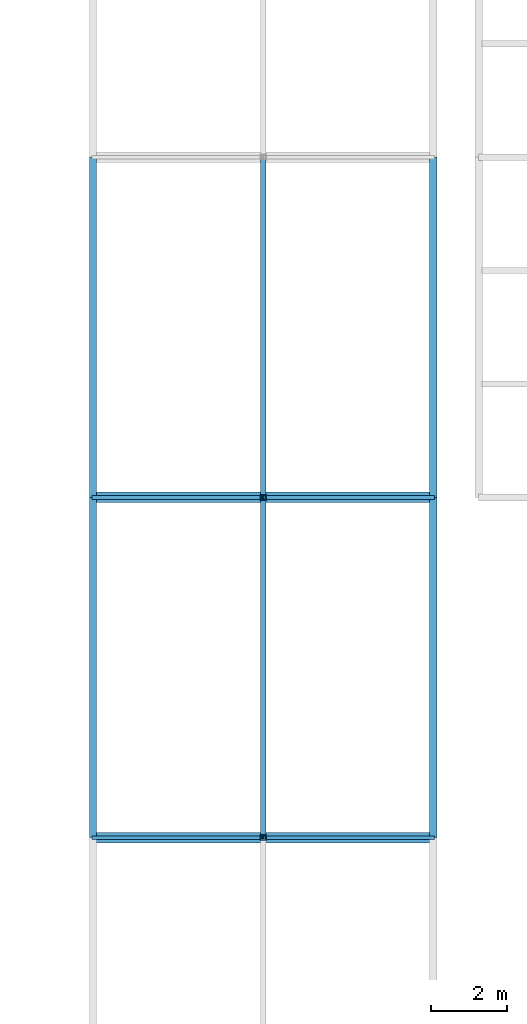
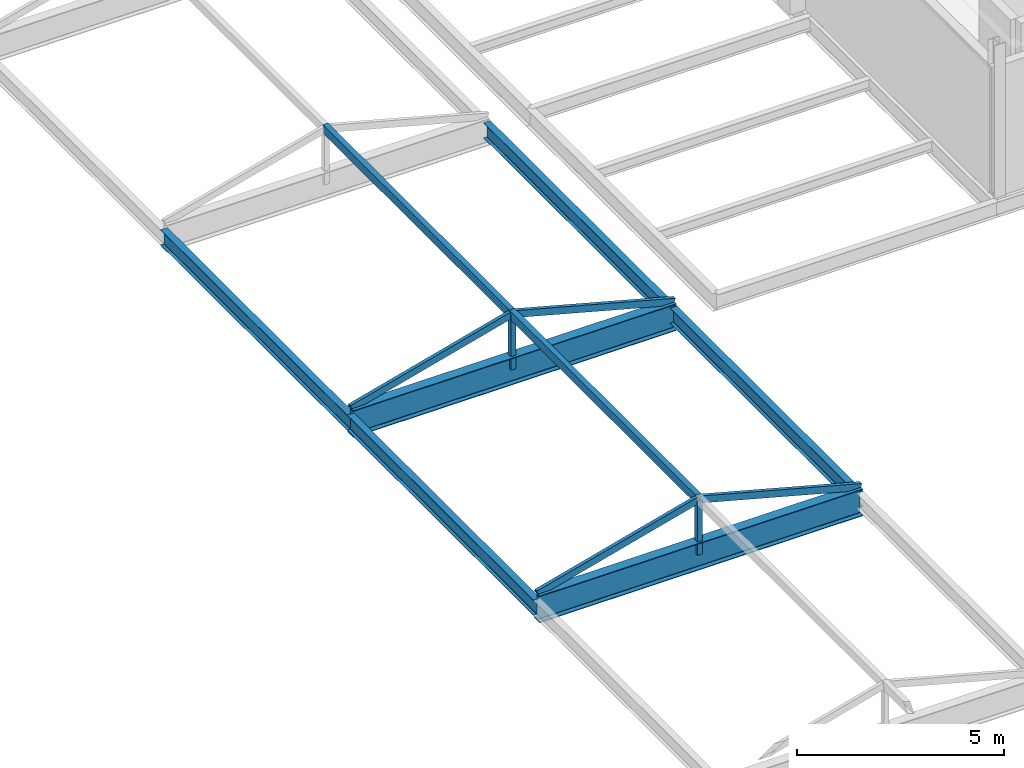
# One storey, part 45 of 140: 8 beams, 6 members.
"""IFC4 building model written with IfcOpenShell, lengths in metres."""

from ifc_helpers import new_model, si_unit, direction, frame, origin, origin_2d, place, context, subcontext, project, spatial, hollow_rectangle, i_section, extrude, material, material_profile, profile_set, type_object, element, save


model = new_model("IFC4")

# Units and contexts
model_context = context("Model", 3, precision=1e-05, world=origin(), true_north=direction((0.0, 1.0)))
body_context = subcontext(model_context, "Body", "Model", "MODEL_VIEW")
ifc_project = project(units=[si_unit("LENGTHUNIT", "METRE"), si_unit("AREAUNIT", "SQUARE_METRE"), si_unit("VOLUMEUNIT", "CUBIC_METRE"), si_unit("PLANEANGLEUNIT", "RADIAN"), si_unit("MASSUNIT", "GRAM", prefix="KILO"), si_unit("THERMODYNAMICTEMPERATUREUNIT", "KELVIN"), si_unit("POWERUNIT", "WATT")], contexts=[model_context])

# Site, building, storey
site_placement = place(None, origin())
site = spatial("IfcSite", under=ifc_project, at=site_placement, CompositionType="ELEMENT")
building_placement = place(site_placement, origin())
building = spatial("IfcBuilding", under=site, at=building_placement, Name="Tallowbark Science Centre", CompositionType="ELEMENT")
storey_placement = place(building_placement, frame((0.0, 0.0, 9.89990234375)))
storey = spatial("IfcBuildingStorey", under=building, at=storey_placement, Name="L02", CompositionType="ELEMENT", Elevation=9.89990234375)

# Beams
ifc_material_1 = material(Name="Structural Steel Grade 300PLUS (300 MPa)", Category="steel")
ifc_material_profile_1 = material_profile(ifc_material_1, i_section(OverallWidth=0.27490234375, OverallDepth=0.7919921875, WebThickness=0.011962890625, FlangeThickness=0.02001953125, FilletRadius=0.013916015625, at=origin_2d()), Name="800WB146")
ifc_profile_set_1 = profile_set([ifc_material_profile_1], Name="Structural Steel Grade 300PLUS (300 MPa)")
beam_type_1 = type_object("IfcBeamType", Name="BM-WB800", PredefinedType="BEAM", material=ifc_profile_set_1)
for number, where, z_axis, x_axis, name in (
    (1, (45.0, 63.0, -0.39990234375), (1.0, 0.0, 0.0), (0.0, 1.0, 0.0), "Passage Skylight Tie Beam 8"),
    (2, (45.0, 72.0, -0.39990234375), (1.0, 0.0, 0.0), (0.0, 1.0, 0.0), "Passage Skylight Tie Beam 9"),
):
    element("IfcBeam", number, at=place(storey_placement, frame(where, z_axis=z_axis, x_axis=x_axis)), inside=storey, type_object=beam_type_1, Name=name, PredefinedType="BEAM", context=body_context, shape_type="SweptSolid", body=[
        extrude(i_section(OverallWidth=0.27490234375, OverallDepth=0.7919921875, WebThickness=0.011962890625, FlangeThickness=0.02001953125, FilletRadius=0.013916015625, at=origin_2d()), origin(), (0.0, 0.0, 1.0), 9.0),
    ])

# Members
ifc_material_2 = material(Name="Structural Steel Grade C350L0 (350 MPa)", Category="steel")
ifc_material_profile_2 = material_profile(ifc_material_2, hollow_rectangle(XDim=0.10009765625, YDim=0.199951171875, WallThickness=0.006103515625, at=origin_2d()), Name="200x100x6.0RHS")
ifc_profile_set_2 = profile_set([ifc_material_profile_2], Name="Structural Steel Grade C350L0 (350 MPa)")
member_type_1 = type_object("IfcMemberType", Name="RFT-200RHS", PredefinedType="RAFTER", material=ifc_profile_set_2)
for number, where, z_axis, x_axis, name in (
    (3, (45.0, 63.0, 0.0), (0.965923723713, 0.0, 0.258826891896), (0.0, 1.0, 0.0), "Passage Skylight West Rafter 8"),
    (4, (49.5, 63.0, 1.205810546875), (0.965923723713, 0.0, -0.258826891896), (0.0, 1.0, 0.0), "Passage Skylight East Rafter 8"),
    (5, (45.0, 72.0, 0.0), (0.965923723713, 0.0, 0.258826891896), (0.0, 1.0, 0.0), "Passage Skylight West Rafter 9"),
    (6, (49.5, 72.0, 1.205810546875), (0.965923723713, 0.0, -0.258826891896), (0.0, 1.0, 0.0), "Passage Skylight East Rafter 9"),
):
    element("IfcMember", number, at=place(storey_placement, frame(where, z_axis=z_axis, x_axis=x_axis)), inside=storey, type_object=member_type_1, Name=name, PredefinedType="RAFTER", context=body_context, shape_type="SweptSolid", body=[
        extrude(hollow_rectangle(XDim=0.10009765625, YDim=0.199951171875, WallThickness=0.006103515625, at=origin_2d()), origin(), (0.0, 0.0, 1.0), 4.65869140625),
    ])

# Beams
ifc_material_3 = material(Name="White Architectural Painted Steel Grade C350L0 (350 MPa)", Category="steel")
ifc_material_profile_3 = material_profile(ifc_material_3, hollow_rectangle(XDim=0.14990234375, YDim=0.25, WallThickness=0.009033203125, at=origin_2d()), Name="250x150x9.0RHS")
ifc_profile_set_3 = profile_set([ifc_material_profile_3], Name="White Architectural Painted Steel Grade C350L0 (350 MPa)")
beam_type_2 = type_object("IfcBeamType", Name="SPN-RHS250", PredefinedType="SPANDREL", material=ifc_profile_set_3)
for number, where, z_axis, x_axis, name in (
    (7, (49.5, 63.0, 1.205810546875), (0.0, 1.0, 0.0), (-1.0, 0.0, 0.0), "Passage Skylight Ridge Beam 8"),
    (8, (49.5, 72.0, 1.205810546875), (0.0, 1.0, 0.0), (-1.0, 0.0, 0.0), "Passage Skylight Ridge Beam 9"),
):
    element("IfcBeam", number, at=place(storey_placement, frame(where, z_axis=z_axis, x_axis=x_axis)), inside=storey, type_object=beam_type_2, Name=name, PredefinedType="SPANDREL", context=body_context, shape_type="SweptSolid", body=[
        extrude(hollow_rectangle(XDim=0.14990234375, YDim=0.25, WallThickness=0.009033203125, at=origin_2d()), origin(), (0.0, 0.0, 1.0), 9.0),
    ])
ifc_material_profile_4 = material_profile(ifc_material_1, i_section(OverallWidth=0.18994140625, OverallDepth=0.453857421875, WebThickness=0.008544921875, FlangeThickness=0.0126953125, FilletRadius=0.011474609375, at=origin_2d()), Name="460UB67.1")
ifc_profile_set_4 = profile_set([ifc_material_profile_4], Name="Structural Steel Grade 300PLUS (300 MPa)")
beam_type_3 = type_object("IfcBeamType", Name="SPN-UB460", PredefinedType="SPANDREL", material=ifc_profile_set_4)
for number, where, z_axis, x_axis, name in (
    (9, (45.0, 63.0, -0.40673828125), (0.0, 1.0, 0.0), (-1.0, 0.0, 0.0), "Primary Girder GRDY-L02-450-630-720"),
    (10, (45.0, 72.0, -0.40673828125), (0.0, 1.0, 0.0), (-1.0, 0.0, 0.0), "Primary Girder GRDY-L02-450-720-810"),
    (11, (54.0, 63.0, -0.40673828125), (0.0, 1.0, 0.0), (-1.0, 0.0, 0.0), "Primary Girder GRDY-L02-540-630-720"),
    (12, (54.0, 72.0, -0.40673828125), (0.0, 1.0, 0.0), (-1.0, 0.0, 0.0), "Primary Girder GRDY-L02-540-720-810"),
):
    element("IfcBeam", number, at=place(storey_placement, frame(where, z_axis=z_axis, x_axis=x_axis)), inside=storey, type_object=beam_type_3, Name=name, PredefinedType="SPANDREL", context=body_context, shape_type="SweptSolid", body=[
        extrude(i_section(OverallWidth=0.18994140625, OverallDepth=0.453857421875, WebThickness=0.008544921875, FlangeThickness=0.0126953125, FilletRadius=0.011474609375, at=origin_2d()), origin(), (0.0, 0.0, 1.0), 9.0),
    ])

# Members
ifc_material_profile_5 = material_profile(ifc_material_2, hollow_rectangle(XDim=0.14990234375, YDim=0.14990234375, WallThickness=0.006103515625, at=origin_2d()), Name="150x150x6.0SHS")
ifc_profile_set_5 = profile_set([ifc_material_profile_5], Name="Structural Steel Grade C350L0 (350 MPa)")
member_type_2 = type_object("IfcMemberType", Name="STR-PAS-KP", PredefinedType="POST", material=ifc_profile_set_5)
for number, where, z_axis, x_axis, name in (
    (13, (49.5, 63.0, -0.39990234375), (0.0, 0.0, 1.0), (1.0, 0.0, 0.0), "Passage Skylight Truss King Post 8"),
    (14, (49.5, 72.0, -0.39990234375), (0.0, 0.0, 1.0), (1.0, 0.0, 0.0), "Passage Skylight Truss King Post 9"),
):
    element("IfcMember", number, at=place(storey_placement, frame(where, z_axis=z_axis, x_axis=x_axis)), inside=storey, type_object=member_type_2, Name=name, PredefinedType="POST", context=body_context, shape_type="SweptSolid", body=[
        extrude(hollow_rectangle(XDim=0.14990234375, YDim=0.14990234375, WallThickness=0.006103515625, at=origin_2d()), origin(), (0.0, 0.0, 1.0), 1.605712890625),
    ])

save(model, "model.ifc")
